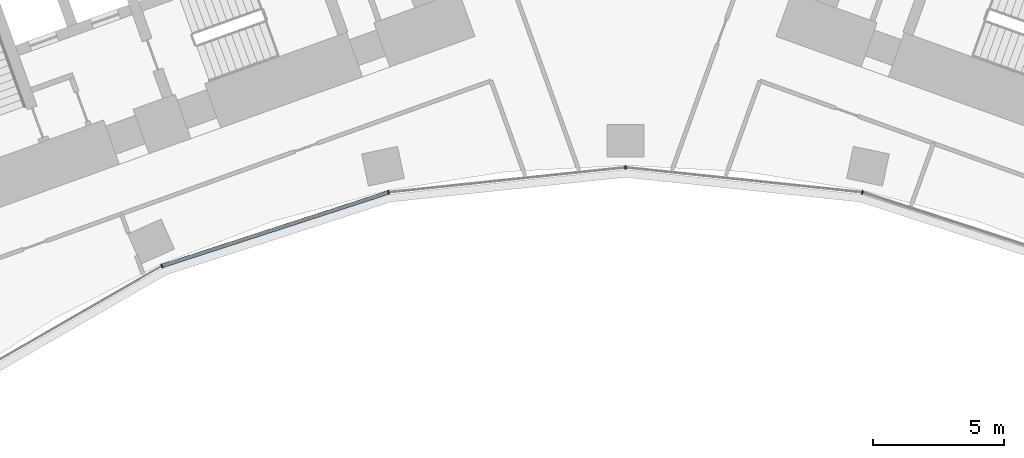
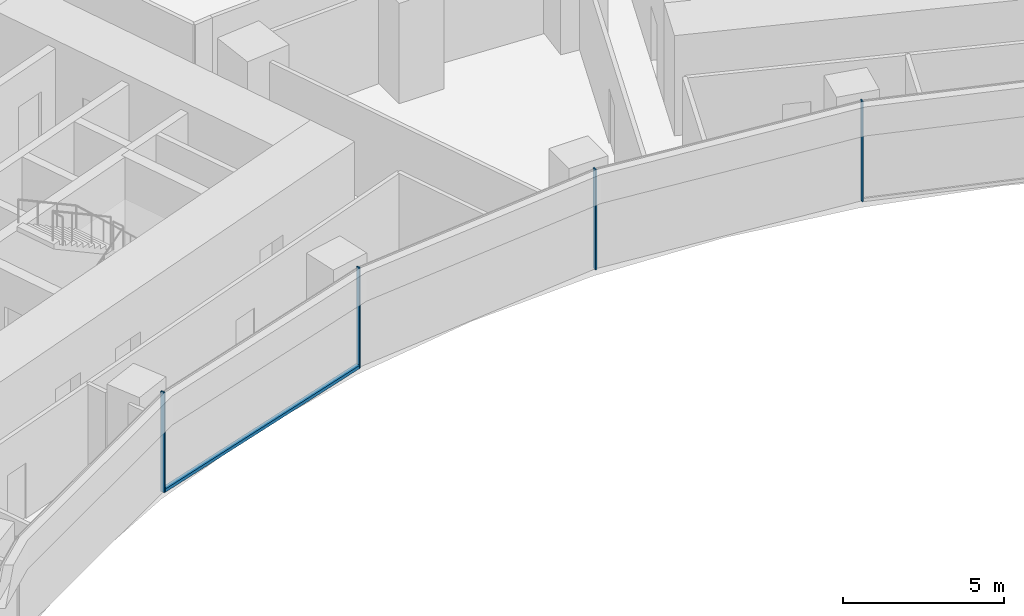
# One storey, part 5 of 21: 5 members, 1 element without a shape of its own.
"""IFC4 building model written with IfcOpenShell, lengths in metres."""

from ifc_helpers import new_model, si_unit, direction, frame, origin, origin_2d, place, context, subcontext, project, spatial, rectangle, extrude, material, layer, layer_set, material_profile, profile_set, type_object, element, aggregate, save


model = new_model("IFC4")

# Units and contexts
model_context = context("Model", 3, precision=1e-05, world=origin(), true_north=direction((0.0, 1.0)))
body_context = subcontext(model_context, "Body", "Model", "MODEL_VIEW")
ifc_project = project(units=[si_unit("LENGTHUNIT", "METRE"), si_unit("AREAUNIT", "SQUARE_METRE"), si_unit("VOLUMEUNIT", "CUBIC_METRE"), si_unit("PLANEANGLEUNIT", "RADIAN"), si_unit("MASSUNIT", "GRAM", prefix="KILO")], contexts=[model_context])

# Site, building, storey
site_placement = place(None, origin())
site = spatial("IfcSite", under=ifc_project, at=site_placement, CompositionType="ELEMENT")
building_placement = place(site_placement, origin())
building = spatial("IfcBuilding", under=site, at=building_placement, Name="Stone Belt Terrace Tower", CompositionType="ELEMENT")
storey_placement = place(building_placement, frame((0.0, 0.0, 71.800048828125)))
storey = spatial("IfcBuildingStorey", under=building, at=storey_placement, Name="L17", CompositionType="ELEMENT", Elevation=71.800048828125)

# Curtain wall, members
ifc_material = material(Name="Aluminium 6063-T6 anodised frame", Category="aluminium")
ifc_layer = layer(ifc_material, 0.14990234375)
ifc_layer_set = layer_set([ifc_layer], Name="CW-B unitised concave-face curtain wall")
curtain_wall_type = type_object("IfcCurtainWallType", Name="CW-B unitised concave-face curtain wall", PredefinedType="NOTDEFINED", material=ifc_layer_set)
curtain_wall_placement = place(storey_placement, origin())
curtain_wall = element("IfcCurtainWall", 1, at=curtain_wall_placement, inside=storey, type_object=curtain_wall_type, Name="CW-B concave face L17", PredefinedType="NOTDEFINED")
ifc_material_profile_1 = material_profile(ifc_material, rectangle(XDim=0.14990234375, YDim=0.050048828125, at=origin_2d()), Name="Aluminium 6063-T6 50x150")
ifc_profile_set_1 = profile_set([ifc_material_profile_1], Name="Aluminium 6063-T6 anodised frame")
member_type_1 = type_object("IfcMemberType", Name="CW-B mullion 50 x 150", PredefinedType="MULLION", material=ifc_profile_set_1)
member_1_placement = place(storey_placement, frame((-17.662353515625, 39.67041015625, 0.0), z_axis=(0.0, 0.0, 1.0), x_axis=(-0.406736643076, 0.913545457643, 0.0)))
member_1 = element("IfcMember", 2, at=member_1_placement, type_object=member_type_1, Name="CW-B mullion 4", PredefinedType="MULLION", context=body_context, shape_type="SweptSolid", body=[
    extrude(rectangle(XDim=0.14990234375, YDim=0.050048828125, at=origin_2d()), origin(), (0.0, 0.0, 1.0), 3.800048828125),
])
member_2_placement = place(storey_placement, frame((-9.028564453125, 42.4755859375, 0.0), z_axis=(0.0, 0.0, 1.0), x_axis=(-0.207911690818, 0.978147600734, 0.0)))
member_2 = element("IfcMember", 3, at=member_2_placement, type_object=member_type_1, Name="CW-B mullion 5", PredefinedType="MULLION", context=body_context, shape_type="SweptSolid", body=[
    extrude(rectangle(XDim=0.14990234375, YDim=0.050048828125, at=origin_2d()), origin(), (0.0, 0.0, 1.0), 3.800048828125),
])
member_3_placement = place(storey_placement, frame((0.0, 43.424560546875, 0.0), z_axis=(0.0, 0.0, 1.0), x_axis=(0.0, 1.0, 0.0)))
member_3 = element("IfcMember", 4, at=member_3_placement, type_object=member_type_1, Name="CW-B mullion 6", PredefinedType="MULLION", context=body_context, shape_type="SweptSolid", body=[
    extrude(rectangle(XDim=0.14990234375, YDim=0.050048828125, at=origin_2d()), origin(), (0.0, 0.0, 1.0), 3.800048828125),
])
member_4_placement = place(storey_placement, frame((9.028564453125, 42.4755859375, 0.0), z_axis=(0.0, 0.0, 1.0), x_axis=(0.207911690818, 0.978147600734, 0.0)))
member_4 = element("IfcMember", 5, at=member_4_placement, type_object=member_type_1, Name="CW-B mullion 7", PredefinedType="MULLION", context=body_context, shape_type="SweptSolid", body=[
    extrude(rectangle(XDim=0.14990234375, YDim=0.050048828125, at=origin_2d()), origin(), (0.0, 0.0, 1.0), 3.800048828125),
])
ifc_material_profile_2 = material_profile(ifc_material, rectangle(XDim=0.14990234375, YDim=0.1201171875, at=origin_2d()), Name="Aluminium 6063-T6 150x120")
ifc_profile_set_2 = profile_set([ifc_material_profile_2], Name="Aluminium 6063-T6 anodised frame")
member_type_2 = type_object("IfcMemberType", Name="CW-B transom 120 x 150", PredefinedType="USERDEFINED", material=ifc_profile_set_2)
member_5_placement = place(storey_placement, frame((-17.63134765625, 39.680419921875, 0.06005859375), z_axis=(0.951055963285, 0.309018696359, 0.0), x_axis=(-0.309018696359, 0.951055963285, 0.0)))
member_5 = element("IfcMember", 6, at=member_5_placement, type_object=member_type_2, Name="CW-B transom 4.1", ObjectType="TRANSOM", PredefinedType="USERDEFINED", context=body_context, shape_type="SweptSolid", body=[
    extrude(rectangle(XDim=0.14990234375, YDim=0.1201171875, at=origin_2d()), origin(), (0.0, 0.0, 1.0), 9.012939453125),
])
aggregate(curtain_wall, [member_1, member_2, member_3, member_4, member_5])

save(model, "model.ifc")
